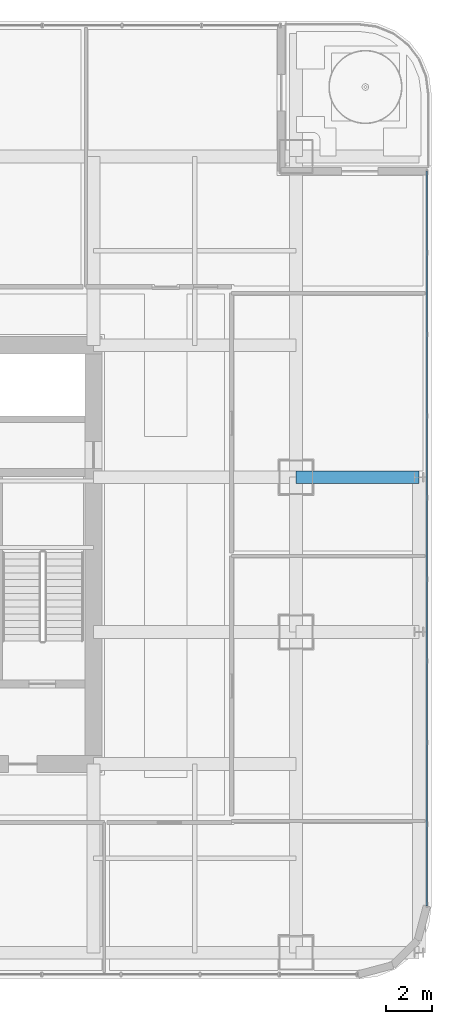
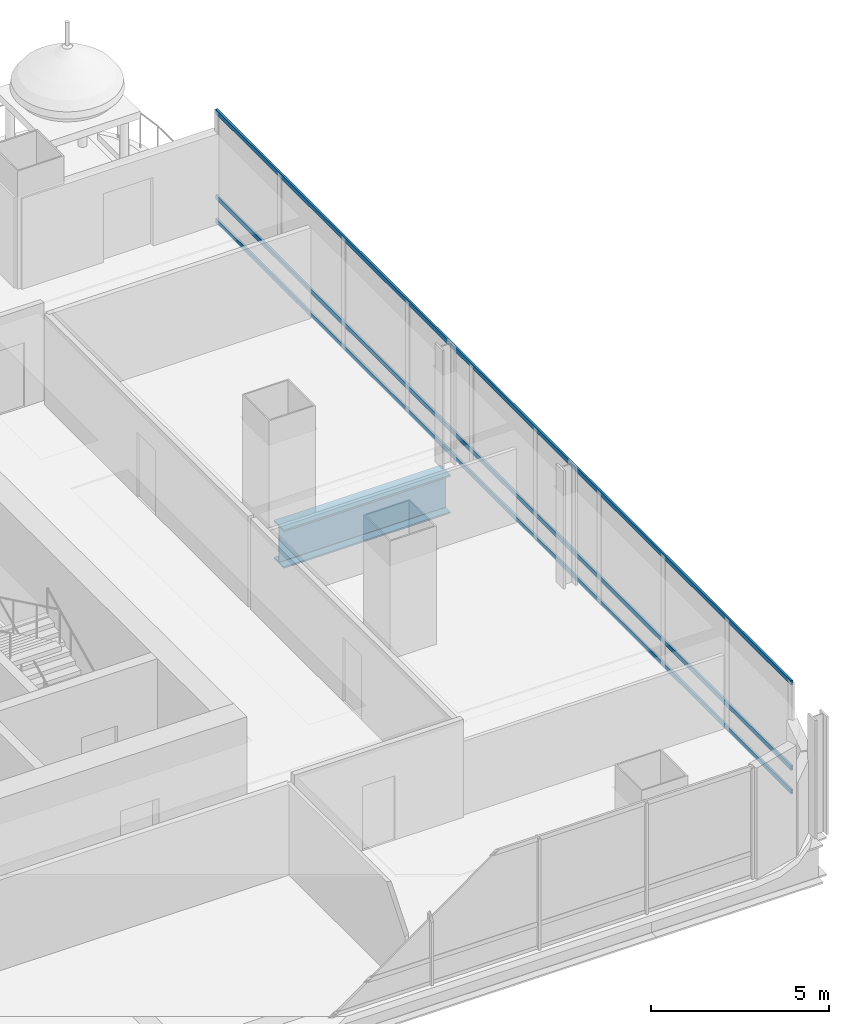
# One storey, part 15 of 37: 3 members, 1 beam, 1 element without a shape of its own.
"""IFC4 building model written with IfcOpenShell, lengths in metres."""

from ifc_helpers import new_model, si_unit, direction, frame, origin, origin_2d, place, context, subcontext, project, spatial, hollow_rectangle, i_section, extrude, material, material_profile, profile_set, type_object, element, aggregate, save


model = new_model("IFC4")

# Units and contexts
model_context = context("Model", 3, precision=1e-05, world=origin(), true_north=direction((0.0, 1.0)))
body_context = subcontext(model_context, "Body", "Model", "MODEL_VIEW")
ifc_project = project(units=[si_unit("LENGTHUNIT", "METRE"), si_unit("AREAUNIT", "SQUARE_METRE"), si_unit("VOLUMEUNIT", "CUBIC_METRE"), si_unit("PLANEANGLEUNIT", "RADIAN"), si_unit("MASSUNIT", "GRAM", prefix="KILO")], contexts=[model_context])

# Site, building, storey
site_placement = place(None, origin())
site = spatial("IfcSite", under=ifc_project, at=site_placement, CompositionType="ELEMENT")
building_placement = place(site_placement, origin())
building = spatial("IfcBuilding", under=site, at=building_placement, Name="Punatoya Terracotta Tower", CompositionType="ELEMENT")
storey_placement = place(building_placement, frame((0.0, 0.0, 109.199951171875)))
storey = spatial("IfcBuildingStorey", under=building, at=storey_placement, Name="L25", CompositionType="ELEMENT", Elevation=109.199951171875)

# Beam
ifc_material_1 = material(Name="Steel S460", Category="steel")
ifc_material_profile_1 = material_profile(ifc_material_1, i_section(OverallWidth=0.56005859375, OverallDepth=1.320068359375, WebThickness=0.035888671875, FlangeThickness=0.054931640625, FilletRadius=0.01806640625, at=origin_2d()))
ifc_profile_set_1 = profile_set([ifc_material_profile_1], Name="Steel S460")
beam_type = type_object("IfcBeamType", Name="BM-TG-BLK", PredefinedType="BEAM", material=ifc_profile_set_1)
beam_placement = place(storey_placement, frame((19.10009765625, 3.39990234375, -0.89990234375), z_axis=(1.0, 0.0, 0.0), x_axis=(0.0, 1.0, 0.0)))
element("IfcBeam", 1, at=beam_placement, inside=storey, type_object=beam_type, Name="BM-L25-CANT-E3", PredefinedType="BEAM", context=body_context, shape_type="SweptSolid", body=[
    extrude(i_section(OverallWidth=0.56005859375, OverallDepth=1.320068359375, WebThickness=0.035888671875, FlangeThickness=0.054931640625, FilletRadius=0.01806640625, at=origin_2d()), origin(), (0.0, 0.0, 1.0), 5.39990234375),
])

# Curtain wall, members
ifc_material_2 = material(Name="Aluminium 6063-T6 + Double Low-E Glass", Category="aluminium")
curtain_wall_type = type_object("IfcCurtainWallType", Name="CW-M1", PredefinedType="NOTDEFINED", material=ifc_material_2)
curtain_wall_placement = place(storey_placement, origin())
curtain_wall = element("IfcCurtainWall", 2, at=curtain_wall_placement, inside=storey, type_object=curtain_wall_type, Name="L25 Curtain Wall CW-L25-E05-1", PredefinedType="NOTDEFINED")
ifc_material_3 = material(Name="Aluminium 6063-T6", Category="aluminium")
ifc_material_profile_2 = material_profile(ifc_material_3, hollow_rectangle(XDim=0.068115234375, YDim=0.14990234375, WallThickness=0.00390625, at=origin_2d()))
ifc_profile_set_2 = profile_set([ifc_material_profile_2], Name="Aluminium 6063-T6")
member_type = type_object("IfcMemberType", Name="CW-TRN-TYP", PredefinedType="USERDEFINED", material=ifc_profile_set_2)
member_1_placement = place(storey_placement, frame((24.85009765625, -15.43701171875, 0.0400390625), z_axis=(0.0, 1.0, 0.0), x_axis=(-1.0, 0.0, 0.0)))
member_1 = element("IfcMember", 3, at=member_1_placement, type_object=member_type, Name="CW-L25-E05-1 Transom 1", ObjectType="TRANSOM", PredefinedType="USERDEFINED", context=body_context, shape_type="SweptSolid", body=[
    extrude(hollow_rectangle(XDim=0.068115234375, YDim=0.14990234375, WallThickness=0.00390625, at=origin_2d()), origin(), (0.0, 0.0, 1.0), 32.287109375),
])
member_2_placement = place(storey_placement, frame((24.85009765625, -15.43701171875, 0.85009765625), z_axis=(0.0, 1.0, 0.0), x_axis=(-1.0, 0.0, 0.0)))
member_2 = element("IfcMember", 4, at=member_2_placement, type_object=member_type, Name="CW-L25-E05-1 Transom 2", ObjectType="TRANSOM", PredefinedType="USERDEFINED", context=body_context, shape_type="SweptSolid", body=[
    extrude(hollow_rectangle(XDim=0.068115234375, YDim=0.14990234375, WallThickness=0.00390625, at=origin_2d()), origin(), (0.0, 0.0, 1.0), 32.287109375),
])
member_3_placement = place(storey_placement, frame((24.85009765625, -15.43701171875, 3.77001953125), z_axis=(0.0, 1.0, 0.0), x_axis=(-1.0, 0.0, 0.0)))
member_3 = element("IfcMember", 5, at=member_3_placement, type_object=member_type, Name="CW-L25-E05-1 Transom 3", ObjectType="TRANSOM", PredefinedType="USERDEFINED", context=body_context, shape_type="SweptSolid", body=[
    extrude(hollow_rectangle(XDim=0.068115234375, YDim=0.14990234375, WallThickness=0.00390625, at=origin_2d()), origin(), (0.0, 0.0, 1.0), 32.287109375),
])
aggregate(curtain_wall, [member_1, member_2, member_3])

save(model, "model.ifc")
